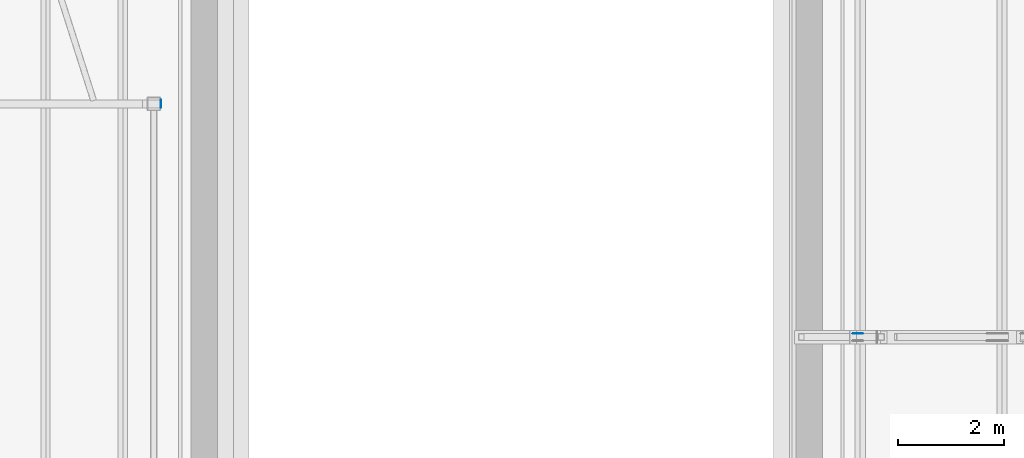
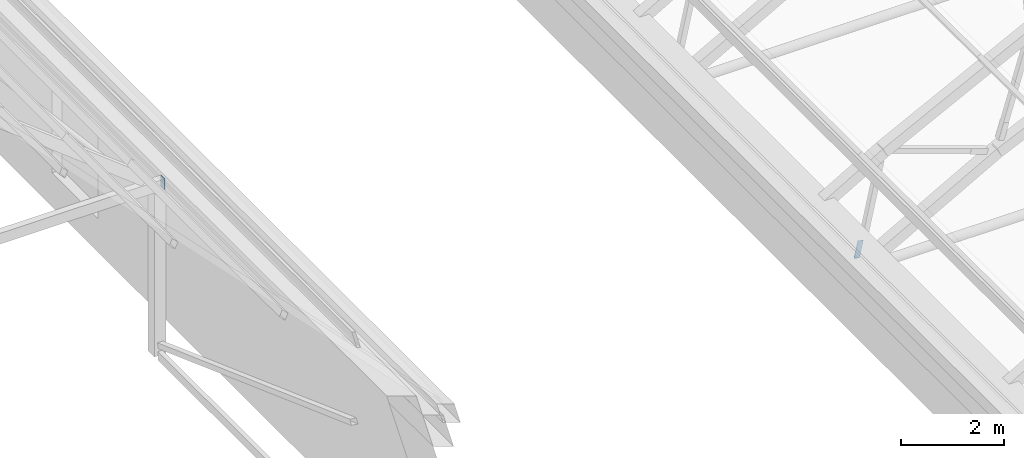
# One storey, part 104 of 127: 2 discrete accessories.
"""IFC4 building model written with IfcOpenShell, lengths in metres."""

from ifc_helpers import new_model, si_unit, direction, frame, origin, origin_2d, place, context, subcontext, project, spatial, rectangle, extrude, material, material_profile, profile_set, type_object, element, save


model = new_model("IFC4")

# Units and contexts
model_context = context("Model", 3, precision=1e-05, world=origin(), true_north=direction((0.0, 1.0)))
body_context = subcontext(model_context, "Body", "Model", "MODEL_VIEW")
ifc_project = project(units=[si_unit("LENGTHUNIT", "METRE"), si_unit("AREAUNIT", "SQUARE_METRE"), si_unit("VOLUMEUNIT", "CUBIC_METRE"), si_unit("PLANEANGLEUNIT", "RADIAN"), si_unit("MASSUNIT", "GRAM", prefix="KILO")], contexts=[model_context])

# Site, building, storey
site_placement = place(None, origin())
site = spatial("IfcSite", under=ifc_project, at=site_placement, CompositionType="ELEMENT")
building_placement = place(site_placement, origin())
building = spatial("IfcBuilding", under=site, at=building_placement, Name="Verrick Yard Athletic Hall", CompositionType="ELEMENT")
storey_placement = place(building_placement, frame((0.0, 0.0, 14.0)))
storey = spatial("IfcBuildingStorey", under=building, at=storey_placement, Name="L03", CompositionType="ELEMENT", Elevation=14.0)

# Discrete accessories
ifc_material = material(Name="Structural steel 350W (CSA G40.21)", Category="steel")
ifc_material_profile_1 = material_profile(ifc_material, rectangle(XDim=0.39990234375, YDim=0.126953125, at=origin_2d()), Name="Brace end cheek plate")
ifc_profile_set_1 = profile_set([ifc_material_profile_1], Name="Structural steel 350W (CSA G40.21)")
discrete_accessory_type_1 = type_object("IfcDiscreteAccessoryType", Name="Brace end cheek plate 400x127x12", PredefinedType="BRACKET", material=ifc_profile_set_1)
discrete_accessory_1_placement = place(storey_placement, frame((121.69091796875, 86.46337890625, 0.416015625), z_axis=(0.0, 1.0, 0.0), x_axis=(0.213605450371, 0.0, 0.976920012883)))
element("IfcDiscreteAccessory", 1, at=discrete_accessory_1_placement, inside=storey, type_object=discrete_accessory_type_1, Name="Truss web end plate TA3-1 1", PredefinedType="BRACKET", context=body_context, shape_type="SweptSolid", body=[
    extrude(rectangle(XDim=0.39990234375, YDim=0.126953125, at=origin_2d()), origin(), (0.0, 0.0, 1.0), 0.01220703125),
])
ifc_material_profile_2 = material_profile(ifc_material, rectangle(XDim=0.15234375, YDim=0.25390625, at=origin_2d()), Name="STR End cap plate 254x152x9.5")
ifc_profile_set_2 = profile_set([ifc_material_profile_2], Name="Structural steel 350W (CSA G40.21)")
discrete_accessory_type_2 = type_object("IfcDiscreteAccessoryType", Name="STR End cap plate 254x152x9.5", PredefinedType="BRACKET", material=ifc_profile_set_2)
discrete_accessory_2_placement = place(storey_placement, frame((108.537109375, 90.800048828125, 3.9892578125), z_axis=(-1.0, 0.0, 0.0), x_axis=(0.0, -1.0, 0.0)))
element("IfcDiscreteAccessory", 2, at=discrete_accessory_2_placement, inside=storey, type_object=discrete_accessory_type_2, Name="End cap HB-RT-3E A", PredefinedType="BRACKET", context=body_context, shape_type="SweptSolid", body=[
    extrude(rectangle(XDim=0.15234375, YDim=0.25390625, at=origin_2d()), origin(), (0.0, 0.0, 1.0), 0.010009765625),
])

save(model, "model.ifc")
